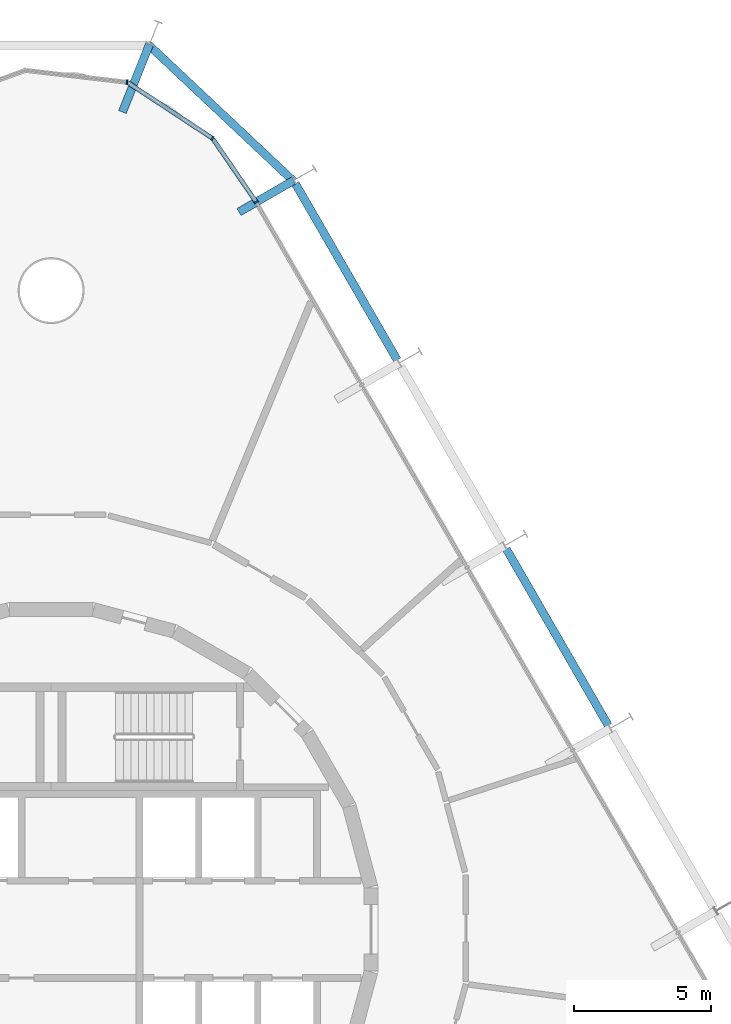
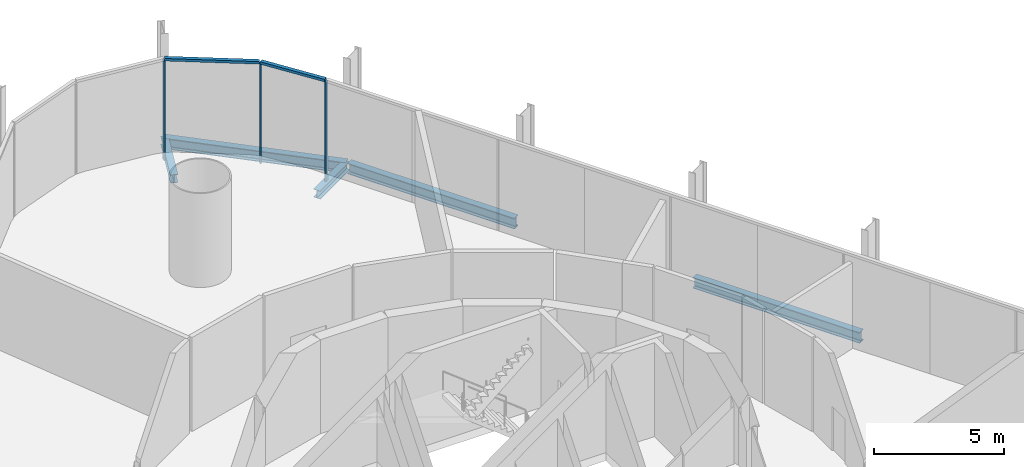
# One storey, part 11 of 17: 5 beams, 5 members, 1 element without a shape of its own.
"""IFC4 building model written with IfcOpenShell, lengths in metres."""

from ifc_helpers import new_model, si_unit, direction, frame, origin, origin_2d, place, context, subcontext, project, spatial, rectangle, i_section, extrude, material, layer, layer_set, material_profile, profile_set, type_object, element, aggregate, save


model = new_model("IFC4")

# Units and contexts
model_context = context("Model", 3, precision=1e-05, world=origin(), true_north=direction((0.0, 1.0)))
body_context = subcontext(model_context, "Body", "Model", "MODEL_VIEW")
ifc_project = project(units=[si_unit("LENGTHUNIT", "METRE"), si_unit("AREAUNIT", "SQUARE_METRE"), si_unit("VOLUMEUNIT", "CUBIC_METRE"), si_unit("PLANEANGLEUNIT", "RADIAN"), si_unit("MASSUNIT", "GRAM", prefix="KILO")], contexts=[model_context])

# Site, building, storey
site_placement = place(None, origin())
site = spatial("IfcSite", under=ifc_project, at=site_placement, CompositionType="ELEMENT")
building_placement = place(site_placement, origin())
building = spatial("IfcBuilding", under=site, at=building_placement, Name="Spindle Arch Residences", CompositionType="ELEMENT")
storey_placement = place(building_placement, frame((0.0, 0.0, 23.39990234375)))
storey = spatial("IfcBuildingStorey", under=building, at=storey_placement, Name="L04", CompositionType="ELEMENT", Elevation=23.39990234375)

# Curtain wall, members
ifc_material_1 = material(Name="Aluminium bronze unitised frame with tinted glass", Category="aluminium")
ifc_layer = layer(ifc_material_1, 0.159912109375)
ifc_layer_set = layer_set([ifc_layer], Name="CW-D corner wall on the fillet arcs")
curtain_wall_type = type_object("IfcCurtainWallType", Name="CW-D corner wall on the fillet arcs", PredefinedType="NOTDEFINED", material=ifc_layer_set)
curtain_wall_placement = place(storey_placement, origin())
curtain_wall = element("IfcCurtainWall", 1, at=curtain_wall_placement, inside=storey, type_object=curtain_wall_type, Name="CW-D L04 run 3", PredefinedType="NOTDEFINED")
ifc_material_2 = material(Name="Aluminium bronze anodised mullion", Category="aluminium")
ifc_material_profile_1 = material_profile(ifc_material_2, rectangle(XDim=0.159912109375, YDim=0.06005859375, at=origin_2d()), Name="MU 60x160")
ifc_profile_set_1 = profile_set([ifc_material_profile_1], Name="Aluminium bronze anodised mullion")
member_type_1 = type_object("IfcMemberType", Name="Bronze mullion 60x160", PredefinedType="MULLION", material=ifc_profile_set_1)
member_1_placement = place(storey_placement, frame((7.46923828125, 26.48291015625, -0.3798828125), z_axis=(0.0, 0.0, 1.0), x_axis=(-0.824747802142, -0.565500718711, 0.0)))
member_1 = element("IfcMember", 2, at=member_1_placement, type_object=member_type_1, Name="CW-D mullion 00", PredefinedType="MULLION", context=body_context, shape_type="SweptSolid", body=[
    extrude(rectangle(XDim=0.159912109375, YDim=0.06005859375, at=origin_2d()), origin(), (0.0, 0.0, 1.0), 4.679931640625),
])
member_2_placement = place(storey_placement, frame((5.877197265625, 28.8046875, -0.3798828125), z_axis=(0.0, 0.0, 1.0), x_axis=(-0.549508977628, -0.835487811704, 0.0)))
member_2 = element("IfcMember", 3, at=member_2_placement, type_object=member_type_1, Name="CW-D mullion 01", PredefinedType="MULLION", context=body_context, shape_type="SweptSolid", body=[
    extrude(rectangle(XDim=0.159912109375, YDim=0.06005859375, at=origin_2d()), origin(), (0.0, 0.0, 1.0), 4.679931640625),
])
member_3_placement = place(storey_placement, frame((2.763427734375, 30.8525390625, -0.3798828125), z_axis=(0.0, 0.0, 1.0), x_axis=(-0.116092915414, -0.993238357591, 0.0)))
member_3 = element("IfcMember", 4, at=member_3_placement, type_object=member_type_1, Name="CW-D mullion 02", PredefinedType="MULLION", context=body_context, shape_type="SweptSolid", body=[
    extrude(rectangle(XDim=0.159912109375, YDim=0.06005859375, at=origin_2d()), origin(), (0.0, 0.0, 1.0), 4.679931640625),
])
ifc_material_3 = material(Name="Aluminium bronze anodised transom", Category="aluminium")
ifc_material_profile_2 = material_profile(ifc_material_3, rectangle(XDim=0.159912109375, YDim=0.1201171875, at=origin_2d()), Name="TR 120x160")
ifc_profile_set_2 = profile_set([ifc_material_profile_2], Name="Aluminium bronze anodised transom")
member_type_2 = type_object("IfcMemberType", Name="Bronze transom 120x160", PredefinedType="USERDEFINED", material=ifc_profile_set_2)
member_4_placement = place(storey_placement, frame((7.4521484375, 26.507568359375, 4.360107421875), z_axis=(-0.565490471855, 0.824754827958, 0.0), x_axis=(-0.824754827958, -0.565490471855, 0.0)))
member_4 = element("IfcMember", 5, at=member_4_placement, type_object=member_type_2, Name="CW-D transom 00", ObjectType="TRANSOM", PredefinedType="USERDEFINED", context=body_context, shape_type="SweptSolid", body=[
    extrude(rectangle(XDim=0.159912109375, YDim=0.1201171875, at=origin_2d()), origin(), (0.0, 0.0, 1.0), 2.75537109375),
])
member_5_placement = place(storey_placement, frame((5.85205078125, 28.821044921875, 4.360107421875), z_axis=(-0.835486265536, 0.549511328456, 0.0), x_axis=(-0.549511328456, -0.835486265536, 0.0)))
member_5 = element("IfcMember", 6, at=member_5_placement, type_object=member_type_2, Name="CW-D transom 01", ObjectType="TRANSOM", PredefinedType="USERDEFINED", context=body_context, shape_type="SweptSolid", body=[
    extrude(rectangle(XDim=0.159912109375, YDim=0.1201171875, at=origin_2d()), origin(), (0.0, 0.0, 1.0), 3.666748046875),
])
aggregate(curtain_wall, [member_1, member_4, member_2, member_5, member_3])

# Beams
ifc_material_4 = material(Name="Steel S460ML, intumescent coating R 120", Category="steel")
ifc_material_profile_3 = material_profile(ifc_material_4, i_section(OverallWidth=0.300048828125, OverallDepth=0.5, WebThickness=0.014404296875, FlangeThickness=0.028076171875, FilletRadius=0.027099609375, at=origin_2d()), Name="HEB 500")
ifc_profile_set_3 = profile_set([ifc_material_profile_3], Name="Steel S460ML, intumescent coating R 120")
beam_type_1 = type_object("IfcBeamType", Name="Exoskeleton edge beam HEB 500", PredefinedType="BEAM", material=ifc_profile_set_3)
beam_1_placement = place(storey_placement, frame((20.283935546875, 7.427001953125, -0.6298828125), z_axis=(-0.500003477455, 0.866023396066, 0.0), x_axis=(-0.866023396066, -0.500003477455, 0.0)))
element("IfcBeam", 7, at=beam_1_placement, inside=storey, type_object=beam_type_1, Name="Exoskeleton edge beam 8", PredefinedType="BEAM", context=body_context, shape_type="SweptSolid", body=[
    extrude(i_section(OverallWidth=0.300048828125, OverallDepth=0.5, WebThickness=0.014404296875, FlangeThickness=0.028076171875, FilletRadius=0.027099609375, at=origin_2d()), origin(), (0.0, 0.0, 1.0), 7.419921875),
])
beam_2_placement = place(storey_placement, frame((12.60400390625, 20.729248046875, -0.6298828125), z_axis=(-0.5000139068, 0.866017374541, 0.0), x_axis=(-0.866017374541, -0.5000139068, 0.0)))
element("IfcBeam", 8, at=beam_2_placement, inside=storey, type_object=beam_type_1, Name="Exoskeleton edge beam 10", PredefinedType="BEAM", context=body_context, shape_type="SweptSolid", body=[
    extrude(i_section(OverallWidth=0.300048828125, OverallDepth=0.5, WebThickness=0.014404296875, FlangeThickness=0.028076171875, FilletRadius=0.027099609375, at=origin_2d()), origin(), (0.0, 0.0, 1.0), 7.420166015625),
])
beam_3_placement = place(storey_placement, frame((8.829345703125, 27.24169921875, -0.6298828125), z_axis=(-0.728377909202, 0.685175613538, 0.0), x_axis=(-0.685175613538, -0.728377909202, 0.0)))
element("IfcBeam", 9, at=beam_3_placement, inside=storey, type_object=beam_type_1, Name="Exoskeleton edge beam 11", PredefinedType="BEAM", context=body_context, shape_type="SweptSolid", body=[
    extrude(i_section(OverallWidth=0.300048828125, OverallDepth=0.5, WebThickness=0.014404296875, FlangeThickness=0.028076171875, FilletRadius=0.027099609375, at=origin_2d()), origin(), (0.0, 0.0, 1.0), 7.250244140625),
])
ifc_material_5 = material(Name="Steel S460ML, intumescent coating R 120", Category="steel")
ifc_material_profile_4 = material_profile(ifc_material_5, i_section(OverallWidth=0.300048828125, OverallDepth=0.389892578125, WebThickness=0.010986328125, FlangeThickness=0.01904296875, FilletRadius=0.027099609375, at=origin_2d()), Name="HEA 400")
ifc_profile_set_4 = profile_set([ifc_material_profile_4], Name="Steel S460ML, intumescent coating R 120")
beam_type_2 = type_object("IfcBeamType", Name="Floor outrigger HEA 400", PredefinedType="BEAM", material=ifc_profile_set_4)
beam_4_placement = place(storey_placement, frame((8.828857421875, 27.267822265625, -0.574951171875), z_axis=(-0.866020755578, -0.500008050843, 0.0), x_axis=(0.500008050843, -0.866020755578, 0.0)))
element("IfcBeam", 10, at=beam_4_placement, inside=storey, type_object=beam_type_2, Name="Floor outrigger 11", PredefinedType="BEAM", context=body_context, shape_type="SweptSolid", body=[
    extrude(i_section(OverallWidth=0.300048828125, OverallDepth=0.389892578125, WebThickness=0.010986328125, FlangeThickness=0.01904296875, FilletRadius=0.027099609375, at=origin_2d()), origin(), (0.0, 0.0, 1.0), 2.2939453125),
])
beam_5_placement = place(storey_placement, frame((3.581298828125, 32.220703125, -0.574951171875), z_axis=(-0.371104734129, -0.928591016706, 0.0), x_axis=(0.928591016706, -0.371104734129, 0.0)))
element("IfcBeam", 11, at=beam_5_placement, inside=storey, type_object=beam_type_2, Name="Floor outrigger 12", PredefinedType="BEAM", context=body_context, shape_type="SweptSolid", body=[
    extrude(i_section(OverallWidth=0.300048828125, OverallDepth=0.389892578125, WebThickness=0.010986328125, FlangeThickness=0.01904296875, FilletRadius=0.027099609375, at=origin_2d()), origin(), (0.0, 0.0, 1.0), 2.64990234375),
])

save(model, "model.ifc")
